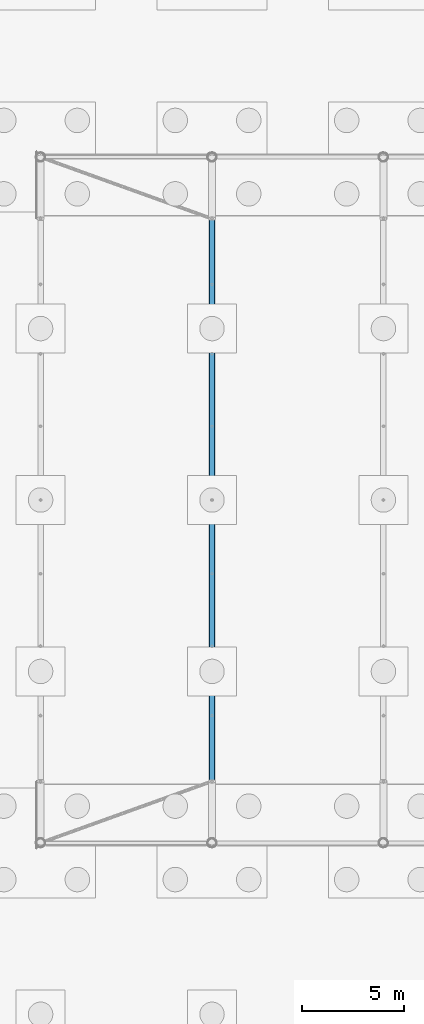
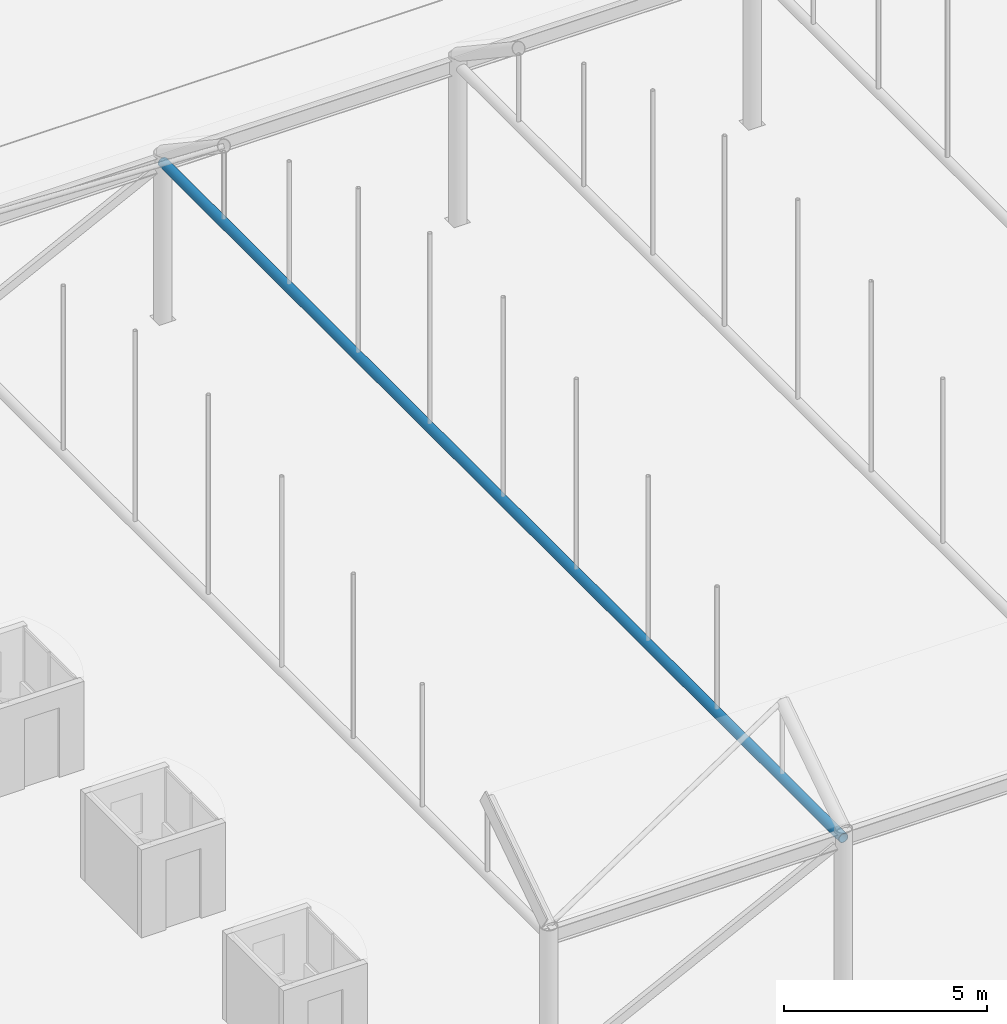
# One storey, part 46 of 212: 1 beam.
"""IFC4 building model written with IfcOpenShell, lengths in metres."""

from ifc_helpers import new_model, si_unit, direction, frame, origin, origin_2d, place, context, subcontext, project, spatial, hollow_circle, extrude, material, material_profile, profile_set, type_object, element, save


model = new_model("IFC4")

# Units and contexts
model_context = context("Model", 3, precision=1e-05, world=origin(), true_north=direction((0.0, 1.0)))
body_context = subcontext(model_context, "Body", "Model", "MODEL_VIEW")
ifc_project = project(units=[si_unit("LENGTHUNIT", "METRE"), si_unit("AREAUNIT", "SQUARE_METRE"), si_unit("VOLUMEUNIT", "CUBIC_METRE"), si_unit("PLANEANGLEUNIT", "RADIAN"), si_unit("MASSUNIT", "GRAM", prefix="KILO")], contexts=[model_context])

# Site, building, storey
site_placement = place(None, origin())
site = spatial("IfcSite", under=ifc_project, at=site_placement, CompositionType="ELEMENT")
building_placement = place(site_placement, origin())
building = spatial("IfcBuilding", under=site, at=building_placement, Name="Catenary Quay Ferry Terminal", CompositionType="ELEMENT")
storey_placement = place(building_placement, origin())
storey = spatial("IfcBuildingStorey", under=building, at=storey_placement, Name="L00", CompositionType="ELEMENT", Elevation=0.0)

# Beam
ifc_material = material(Name="Steel S355", Category="steel")
ifc_material_profile = material_profile(ifc_material, hollow_circle(Radius=0.136474609375, WallThickness=0.012451171875, at=origin_2d()), Name="CHS 273x12.5")
ifc_profile_set = profile_set([ifc_material_profile], Name="Steel S355")
beam_type = type_object("IfcBeamType", Name="TB1 CHS 273x12.5", PredefinedType="BEAM", material=ifc_profile_set)
beam_placement = place(storey_placement, frame((25.199951171875, 16.800048828125, 4.699951171875), z_axis=(0.0, 1.0, 0.0), x_axis=(-1.0, 0.0, 0.0)))
element("IfcBeam", 1, at=beam_placement, inside=storey, type_object=beam_type, Name="tie beam CA-02", PredefinedType="BEAM", context=body_context, shape_type="SweptSolid", body=[
    extrude(hollow_circle(Radius=0.136474609375, WallThickness=0.012451171875, at=origin_2d()), origin(), (0.0, 0.0, 1.0), 33.599853515625),
])

save(model, "model.ifc")
